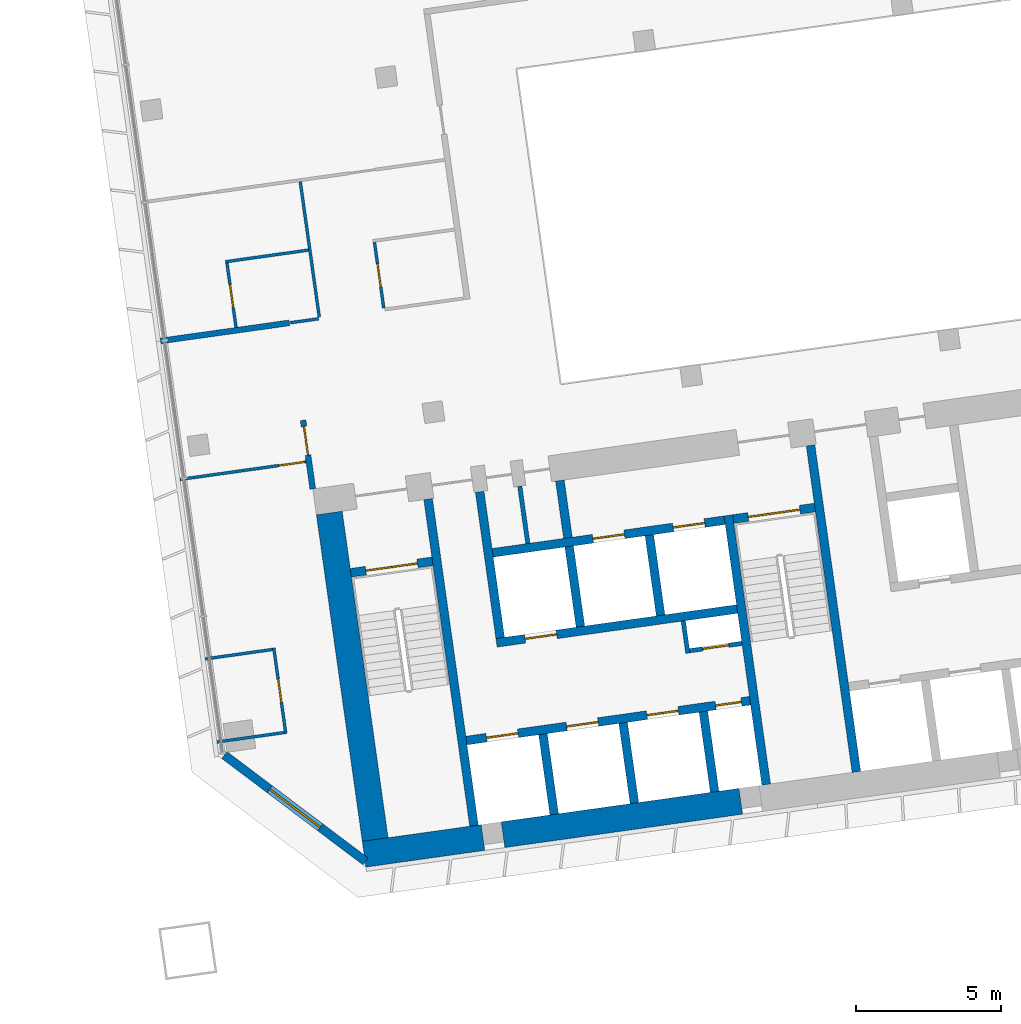
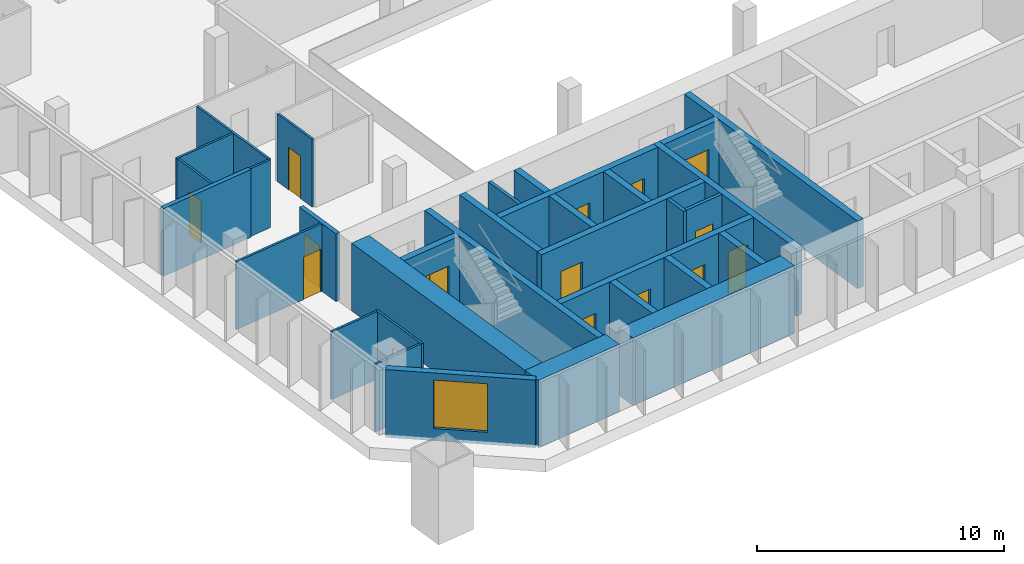
# One storey, part 19 of 25: 33 walls, 15 doors, 1 window, 16 openings.
"""IFC4 building model written with IfcOpenShell, lengths in metres."""

from ifc_helpers import new_model, si_unit, direction, frame, frame_2d, origin, place, context, subcontext, project, spatial, rectangle, extrude, material, layer, layer_set, type_object, element, fill, save


model = new_model("IFC4")

# Units and contexts
model_context = context("Model", 3, precision=1e-05, world=origin(), true_north=direction((0.0, 1.0)))
body_context = subcontext(model_context, "Body", "Model", "MODEL_VIEW")
ifc_project = project(units=[si_unit("LENGTHUNIT", "METRE"), si_unit("AREAUNIT", "SQUARE_METRE"), si_unit("VOLUMEUNIT", "CUBIC_METRE"), si_unit("PLANEANGLEUNIT", "RADIAN"), si_unit("MASSUNIT", "GRAM", prefix="KILO")], contexts=[model_context])

# Site, building, storey
site_placement = place(None, origin())
site = spatial("IfcSite", under=ifc_project, at=site_placement, CompositionType="ELEMENT")
building_placement = place(site_placement, origin())
building = spatial("IfcBuilding", under=site, at=building_placement, Name="Mirante Cascada Hotel Towers", CompositionType="ELEMENT")
storey_placement = place(building_placement, frame((0.0, 0.0, 54.7)))
storey = spatial("IfcBuildingStorey", under=building, at=storey_placement, Name="L10", CompositionType="ELEMENT", Elevation=54.7)

# Wall
ifc_material_1 = material(Name="Fire-rated plasterboard on metal studs")
ifc_layer_1 = layer(ifc_material_1, 0.2)
ifc_layer_set_1 = layer_set([ifc_layer_1], Name="Compartment wall 200 EI 120")
wall_type_1 = type_object("IfcWallType", Name="Compartment wall 200 EI 120", PredefinedType="PARTITIONING", material=ifc_layer_set_1)
wall_1_placement = place(storey_placement, frame((34.4562, -1.3737, 0.0), z_axis=(0.0, 0.0, 1.0), x_axis=(-0.9902674, -0.1391779, 0.0)))
element("IfcWall", 1, at=wall_1_placement, inside=storey, type_object=wall_type_1, Name="Wall 2-L10-04", PredefinedType="PARTITIONING", context=body_context, shape_type="SweptSolid", body=[
    extrude(rectangle(XDim=4.5, YDim=0.2, at=frame_2d((2.25, 0.0))), origin(), (0.0, 0.0, 1.0), 3.35),
])

# Wall, opening, door
wall_2_placement = place(storey_placement, frame((35.2634, -7.1173, 0.0), z_axis=(0.0, 0.0, 1.0), x_axis=(-0.1391635, 0.9902694, 0.0)))
wall_2 = element("IfcWall", 2, at=wall_2_placement, inside=storey, type_object=wall_type_1, Name="Wall 2-L10-33", PredefinedType="PARTITIONING", context=body_context, shape_type="SweptSolid", body=[
    extrude(rectangle(XDim=2.4001, YDim=0.2, at=frame_2d((1.2, 0.0))), origin(), (0.0, 0.0, 1.0), 3.35),
])
opening_1_placement = place(wall_2_placement, frame((1.1833, 0.0, 0.0)))
opening_1 = element("IfcOpeningElement", 3, at=opening_1_placement, cuts=wall_2, Name="Opening D2-L10-28", PredefinedType="OPENING", context=body_context, shape_type="SweptSolid", body=[
    extrude(rectangle(XDim=1.0, YDim=2.1, at=frame_2d((0.5, 1.05))), frame((0.0, 0.1, 0.0), z_axis=(0.0, -1.0, 0.0), x_axis=(1.0, 0.0, 0.0)), (0.0, 0.0, 1.0), 0.2),
])
ifc_material_2 = material(Name="Fire-rated timber door leaf", Category="wood")
door_type_1 = type_object("IfcDoorType", Name="Entrance door DG1 1000x2100 EI 60", OperationType="SINGLE_SWING_LEFT", PredefinedType="DOOR", material=ifc_material_2)
door_1_placement = place(opening_1_placement, origin())
door_1 = element("IfcDoor", 4, at=door_1_placement, inside=storey, type_object=door_type_1, Name="Door D2-L10-28", OperationType="SINGLE_SWING_LEFT", OverallHeight=2.1, OverallWidth=1.0, PredefinedType="DOOR", context=body_context, shape_type="SweptSolid", body=[
    extrude(rectangle(XDim=1.0, YDim=2.1, at=frame_2d((0.5, 1.05))), frame((0.0, 0.025, 0.0), z_axis=(0.0, -1.0, 0.0), x_axis=(1.0, 0.0, 0.0)), (0.0, 0.0, 1.0), 0.05),
])
fill(opening_1, door_1)

# Wall
ifc_material_3 = material(Name="Masonry block", Category="masonry")
ifc_layer_2 = layer(ifc_material_3, 0.15)
ifc_layer_set_2 = layer_set([ifc_layer_2], Name="Core room partition 150 block EI 30")
wall_type_2 = type_object("IfcWallType", Name="Core room partition 150 block EI 30", PredefinedType="PARTITIONING", material=ifc_layer_set_2)
wall_3_placement = place(storey_placement, frame((48.2295, -12.793, 0.0), z_axis=(0.0, 0.0, 1.0), x_axis=(-0.1391935, 0.9902652, 0.0)))
element("IfcWall", 5, at=wall_3_placement, inside=storey, type_object=wall_type_2, Name="Core wall partition T2 L10 2", PredefinedType="PARTITIONING", context=body_context, shape_type="SweptSolid", body=[
    extrude(rectangle(XDim=1.1251, YDim=0.15, at=frame_2d((0.5626, 0.0))), origin(), (0.0, 0.0, 1.0), 3.35),
])

# Wall, opening, door
wall_4_placement = place(storey_placement, frame((48.2933, -12.7083, 0.0), z_axis=(0.0, 0.0, 1.0), x_axis=(0.990268, 0.1391734, 0.0)))
wall_4 = element("IfcWall", 6, at=wall_4_placement, inside=storey, type_object=wall_type_2, Name="Core wall partition T2 L10 3", PredefinedType="PARTITIONING", context=body_context, shape_type="SweptSolid", body=[
    extrude(rectangle(XDim=1.8251, YDim=0.15, at=frame_2d((0.9126, 0.0))), origin(), (0.0, 0.0, 1.0), 3.35),
])
opening_2_placement = place(wall_4_placement, frame((0.4625, 0.0, 0.0)))
opening_2 = element("IfcOpeningElement", 7, at=opening_2_placement, cuts=wall_4, Name="Opening D2-10-C23", PredefinedType="OPENING", context=body_context, shape_type="SweptSolid", body=[
    extrude(rectangle(XDim=0.9, YDim=2.1, at=frame_2d((0.45, 1.05))), frame((0.0, 0.075, 0.0), z_axis=(0.0, -1.0, 0.0), x_axis=(1.0, 0.0, 0.0)), (0.0, 0.0, 1.0), 0.15),
])
ifc_material_4 = material(Name="Hollow metal fire door leaf")
door_type_2 = type_object("IfcDoorType", Name="Fire door 900x2100 FD60", OperationType="NOTDEFINED", PredefinedType="DOOR", material=ifc_material_4)
door_2_placement = place(opening_2_placement, frame((0.9, 0.0, 0.0), z_axis=(0.0, 0.0, 1.0), x_axis=(-1.0, 0.0, 0.0)))
door_2 = element("IfcDoor", 8, at=door_2_placement, inside=storey, type_object=door_type_2, Name="Riser door T2 L10 23", OperationType="SINGLE_SWING_RIGHT", OverallHeight=2.1, OverallWidth=0.9, PredefinedType="DOOR", context=body_context, shape_type="SweptSolid", body=[
    extrude(rectangle(XDim=0.9, YDim=2.1, at=frame_2d((0.45, 1.05))), frame((0.0, 0.025, 0.0), z_axis=(0.0, -1.0, 0.0), x_axis=(1.0, 0.0, 0.0)), (0.0, 0.0, 1.0), 0.05),
])
fill(opening_2, door_2)

# Walls
wall_5_placement = place(storey_placement, frame((42.6979, -9.0009, 0.0), z_axis=(0.0, 0.0, 1.0), x_axis=(-0.1391529, 0.9902709, 0.0)))
element("IfcWall", 9, at=wall_5_placement, inside=storey, type_object=wall_type_2, Name="Core wall partition T2 L10 4", PredefinedType="PARTITIONING", context=body_context, shape_type="SweptSolid", body=[
    extrude(rectangle(XDim=2.0, YDim=0.15, at=frame_2d((1.0, 0.0))), origin(), (0.0, 0.0, 1.0), 3.35),
])
ifc_material_5 = material(Name="Masonry block", Category="masonry")
ifc_layer_3 = layer(ifc_material_5, 0.3)
ifc_layer_set_3 = layer_set([ifc_layer_3], Name="Core wall 300 block EI 120")
wall_type_3 = type_object("IfcWallType", Name="Core wall 300 block EI 120", PredefinedType="PARTITIONING", material=ifc_layer_set_3)
wall_6_placement = place(storey_placement, frame((44.0843, -8.8061, 0.0), z_axis=(0.0, 0.0, 1.0), x_axis=(-0.1391951, 0.990265, 0.0)))
element("IfcWall", 10, at=wall_6_placement, inside=storey, type_object=wall_type_3, Name="Core wall partition T2 L10 1", PredefinedType="PARTITIONING", context=body_context, shape_type="SweptSolid", body=[
    extrude(rectangle(XDim=2.0001, YDim=0.3, at=frame_2d((1.0001, 0.0))), origin(), (0.0, 0.0, 1.0), 3.35),
])
ifc_material_6 = material(Name="Plasterboard on metal studs")
ifc_layer_4 = layer(ifc_material_6, 0.1)
ifc_layer_set_4 = layer_set([ifc_layer_4], Name="Partition 100")
wall_type_4 = type_object("IfcWallType", Name="Partition 100", PredefinedType="PARTITIONING", material=ifc_layer_set_4)
for number, where, z_axis, x_axis, name in (
    (11, (31.9484, -15.8638, 0.0), (0.0, 0.0, 1.0), (0.9902661, 0.139187, 0.0), "Wall 2-L10-01"),
    (12, (33.872, -12.6649, 0.0), (0.0, 0.0, 1.0), (-0.9902661, -0.139187, 0.0), "Wall 2-L10-02"),
):
    element("IfcWall", number, at=place(storey_placement, frame(where, z_axis=z_axis, x_axis=x_axis)), inside=storey, type_object=wall_type_4, Name=name, PredefinedType="PARTITIONING", context=body_context, shape_type="SweptSolid", body=[
        extrude(rectangle(XDim=2.3501, YDim=0.1, at=frame_2d((1.175, 0.0))), origin(), (0.0, 0.0, 1.0), 3.35),
    ])

# Wall, opening, door
wall_7_placement = place(storey_placement, frame((30.6727, -6.7863, 0.0), z_axis=(0.0, 0.0, 1.0), x_axis=(0.9902665, 0.1391841, 0.0)))
wall_7 = element("IfcWall", 13, at=wall_7_placement, inside=storey, type_object=wall_type_4, Name="Wall 2-L10-03", PredefinedType="PARTITIONING", context=body_context, shape_type="SweptSolid", body=[
    extrude(rectangle(XDim=4.3999, YDim=0.1, at=frame_2d((2.2, 0.0))), origin(), (0.0, 0.0, 1.0), 3.35),
])
opening_3_placement = place(wall_7_placement, frame((3.45, 0.0, 0.0)))
opening_3 = element("IfcOpeningElement", 14, at=opening_3_placement, cuts=wall_7, Name="Opening D2-L10-01", PredefinedType="OPENING", context=body_context, shape_type="SweptSolid", body=[
    extrude(rectangle(XDim=0.9, YDim=2.1, at=frame_2d((0.45, 1.05))), frame((0.0, 0.05, 0.0), z_axis=(0.0, -1.0, 0.0), x_axis=(1.0, 0.0, 0.0)), (0.0, 0.0, 1.0), 0.1),
])
ifc_material_7 = material(Name="Timber door leaf", Category="wood")
door_type_3 = type_object("IfcDoorType", Name="Room door DG3 900x2100", OperationType="SINGLE_SWING_LEFT", PredefinedType="DOOR", material=ifc_material_7)
door_3_placement = place(opening_3_placement, frame((0.9, 0.0, 0.0), z_axis=(0.0, 0.0, 1.0), x_axis=(-1.0, 0.0, 0.0)))
door_3 = element("IfcDoor", 15, at=door_3_placement, inside=storey, type_object=door_type_3, Name="Door D2-L10-01", OperationType="SINGLE_SWING_RIGHT", OverallHeight=2.1, OverallWidth=0.9, PredefinedType="DOOR", context=body_context, shape_type="SweptSolid", body=[
    extrude(rectangle(XDim=0.9, YDim=2.1, at=frame_2d((0.45, 1.05))), frame((0.0, 0.025, 0.0), z_axis=(0.0, -1.0, 0.0), x_axis=(1.0, 0.0, 0.0)), (0.0, 0.0, 1.0), 0.05),
])
fill(opening_3, door_3)

# Walls
wall_8_placement = place(storey_placement, frame((34.4859, -1.3695, 0.0), z_axis=(0.0, 0.0, 1.0), x_axis=(0.9902801, 0.1390877, 0.0)))
element("IfcWall", 16, at=wall_8_placement, inside=storey, type_object=wall_type_4, Name="Wall 2-L10-05", PredefinedType="PARTITIONING", context=body_context, shape_type="SweptSolid", body=[
    extrude(rectangle(XDim=0.99, YDim=0.1, at=frame_2d((0.495, 0.0))), origin(), (0.0, 0.0, 1.0), 3.35),
])
wall_9_placement = place(storey_placement, frame((35.1125, 1.1421, 0.0), z_axis=(0.0, 0.0, 1.0), x_axis=(-0.9902683, -0.1391714, 0.0)))
element("IfcWall", 17, at=wall_9_placement, inside=storey, type_object=wall_type_4, Name="Wall 2-L10-08", PredefinedType="PARTITIONING", context=body_context, shape_type="SweptSolid", body=[
    extrude(rectangle(XDim=2.9, YDim=0.1, at=frame_2d((1.45, 0.0))), origin(), (0.0, 0.0, 1.0), 3.35),
])

# Wall, opening, door
wall_10_placement = place(storey_placement, frame((34.332, -15.5793, 0.0), z_axis=(0.0, 0.0, 1.0), x_axis=(-0.1391624, 0.9902696, 0.0)))
wall_10 = element("IfcWall", 18, at=wall_10_placement, inside=storey, type_object=wall_type_4, Name="Wall 2-L10-31", PredefinedType="PARTITIONING", context=body_context, shape_type="SweptSolid", body=[
    extrude(rectangle(XDim=3.0001, YDim=0.1, at=frame_2d((1.5001, 0.0))), origin(), (0.0, 0.0, 1.0), 3.35),
])
opening_4_placement = place(wall_10_placement, frame((1.1, 0.0, 0.0)))
opening_4 = element("IfcOpeningElement", 19, at=opening_4_placement, cuts=wall_10, Name="Opening D2-L10-26", PredefinedType="OPENING", context=body_context, shape_type="SweptSolid", body=[
    extrude(rectangle(XDim=0.8, YDim=2.1, at=frame_2d((0.4, 1.05))), frame((0.0, 0.05, 0.0), z_axis=(0.0, -1.0, 0.0), x_axis=(1.0, 0.0, 0.0)), (0.0, 0.0, 1.0), 0.1),
])
ifc_material_8 = material(Name="Timber door leaf", Category="wood")
door_type_4 = type_object("IfcDoorType", Name="Bathroom door DG4 800x2100", OperationType="SINGLE_SWING_LEFT", PredefinedType="DOOR", material=ifc_material_8)
door_4_placement = place(opening_4_placement, frame((0.8, 0.0, 0.0), z_axis=(0.0, 0.0, 1.0), x_axis=(-1.0, 0.0, 0.0)))
door_4 = element("IfcDoor", 20, at=door_4_placement, inside=storey, type_object=door_type_4, Name="Door D2-L10-26", OperationType="SINGLE_SWING_RIGHT", OverallHeight=2.1, OverallWidth=0.8, PredefinedType="DOOR", context=body_context, shape_type="SweptSolid", body=[
    extrude(rectangle(XDim=0.8, YDim=2.1, at=frame_2d((0.4, 1.05))), frame((0.0, 0.025, 0.0), z_axis=(0.0, -1.0, 0.0), x_axis=(1.0, 0.0, 0.0)), (0.0, 0.0, 1.0), 0.05),
])
fill(opening_4, door_4)

wall_11_placement = place(storey_placement, frame((32.2972, 0.6959, 0.0), z_axis=(0.0, 0.0, 1.0), x_axis=(0.1391561, -0.9902705, 0.0)))
wall_11 = element("IfcWall", 21, at=wall_11_placement, inside=storey, type_object=wall_type_4, Name="Wall 2-L10-32", PredefinedType="PARTITIONING", context=body_context, shape_type="SweptSolid", body=[
    extrude(rectangle(XDim=2.25, YDim=0.1, at=frame_2d((1.125, 0.0))), origin(), (0.0, 0.0, 1.0), 3.35),
])
opening_5_placement = place(wall_11_placement, frame((0.75, 0.0, 0.0)))
opening_5 = element("IfcOpeningElement", 22, at=opening_5_placement, cuts=wall_11, Name="Opening D2-L10-27", PredefinedType="OPENING", context=body_context, shape_type="SweptSolid", body=[
    extrude(rectangle(XDim=0.8, YDim=2.1, at=frame_2d((0.4, 1.05))), frame((0.0, 0.05, 0.0), z_axis=(0.0, -1.0, 0.0), x_axis=(1.0, 0.0, 0.0)), (0.0, 0.0, 1.0), 0.1),
])
door_5_placement = place(opening_5_placement, origin())
door_5 = element("IfcDoor", 23, at=door_5_placement, inside=storey, type_object=door_type_4, Name="Door D2-L10-27", OperationType="SINGLE_SWING_LEFT", OverallHeight=2.1, OverallWidth=0.8, PredefinedType="DOOR", context=body_context, shape_type="SweptSolid", body=[
    extrude(rectangle(XDim=0.8, YDim=2.1, at=frame_2d((0.4, 1.05))), frame((0.0, 0.025, 0.0), z_axis=(0.0, -1.0, 0.0), x_axis=(1.0, 0.0, 0.0)), (0.0, 0.0, 1.0), 0.05),
])
fill(opening_5, door_5)

# Wall
wall_12_placement = place(storey_placement, frame((35.489, -1.1781, 0.0), z_axis=(0.0, 0.0, 1.0), x_axis=(-0.1391613, 0.9902697, 0.0)))
element("IfcWall", 24, at=wall_12_placement, inside=storey, type_object=wall_type_4, Name="Wall 2-L10-35", PredefinedType="PARTITIONING", context=body_context, shape_type="SweptSolid", body=[
    extrude(rectangle(XDim=4.7334, YDim=0.1, at=frame_2d((2.3667, 0.0))), origin(), (0.0, 0.0, 1.0), 3.35),
])

# Wall, opening, door
wall_13_placement = place(storey_placement, frame((37.397, 1.4127, 0.0), z_axis=(0.0, 0.0, 1.0), x_axis=(0.1391749, -0.9902678, 0.0)))
wall_13 = element("IfcWall", 25, at=wall_13_placement, inside=storey, type_object=wall_type_4, Name="Wall 2-L10-36", PredefinedType="PARTITIONING", context=body_context, shape_type="SweptSolid", body=[
    extrude(rectangle(XDim=2.3, YDim=0.1, at=frame_2d((1.15, 0.0))), origin(), (0.0, 0.0, 1.0), 3.35),
])
opening_6_placement = place(wall_13_placement, frame((0.75, 0.0, 0.0)))
opening_6 = element("IfcOpeningElement", 26, at=opening_6_placement, cuts=wall_13, Name="Opening D2-L10-30", PredefinedType="OPENING", context=body_context, shape_type="SweptSolid", body=[
    extrude(rectangle(XDim=0.8, YDim=2.1, at=frame_2d((0.4, 1.05))), frame((0.0, 0.05, 0.0), z_axis=(0.0, -1.0, 0.0), x_axis=(1.0, 0.0, 0.0)), (0.0, 0.0, 1.0), 0.1),
])
door_6_placement = place(opening_6_placement, origin())
door_6 = element("IfcDoor", 27, at=door_6_placement, inside=storey, type_object=door_type_4, Name="Door D2-L10-30", OperationType="SINGLE_SWING_LEFT", OverallHeight=2.1, OverallWidth=0.8, PredefinedType="DOOR", context=body_context, shape_type="SweptSolid", body=[
    extrude(rectangle(XDim=0.8, YDim=2.1, at=frame_2d((0.4, 1.05))), frame((0.0, 0.025, 0.0), z_axis=(0.0, -1.0, 0.0), x_axis=(1.0, 0.0, 0.0)), (0.0, 0.0, 1.0), 0.05),
])
fill(opening_6, door_6)

# Wall, opening, window
ifc_material_9 = material(Name="Precast concrete C40/50", Category="concrete")
ifc_layer_5 = layer(ifc_material_9, 0.3)
ifc_layer_set_5 = layer_set([ifc_layer_5], Name="Precast concrete C40/50 cladding wall 300")
wall_type_5 = type_object("IfcWallType", Name="Precast concrete C40/50 cladding wall 300", PredefinedType="STANDARD", material=ifc_layer_set_5)
wall_14_placement = place(storey_placement, frame((32.2074, -16.3138, 0.0), z_axis=(0.0, 0.0, 1.0), x_axis=(0.7986362, -0.6018141, 0.0)))
wall_14 = element("IfcWall", 28, at=wall_14_placement, inside=storey, type_object=wall_type_5, Name="Corner cladding wall T2 L10 inner rear", PredefinedType="STANDARD", context=body_context, shape_type="SweptSolid", body=[
    extrude(rectangle(XDim=6.1157, YDim=0.3, at=frame_2d((3.0578, 0.0))), origin(), (0.0, 0.0, 1.0), 3.35),
])
opening_7_placement = place(wall_14_placement, frame((1.9578, 0.0, 0.6)))
opening_7 = element("IfcOpeningElement", 29, at=opening_7_placement, cuts=wall_14, Name="Opening W2-10-05", PredefinedType="OPENING", context=body_context, shape_type="SweptSolid", body=[
    extrude(rectangle(XDim=2.2, YDim=2.4, at=frame_2d((1.1, 1.2))), frame((0.0, 0.15, 0.0), z_axis=(0.0, -1.0, 0.0), x_axis=(1.0, 0.0, 0.0)), (0.0, 0.0, 1.0), 0.3),
])
ifc_material_10 = material(Name="Aluminium frame with clear double glazing", Category="aluminium")
window_type = type_object("IfcWindowType", Name="Corner suite window 2200x2400", PartitioningType="DOUBLE_PANEL_VERTICAL", PredefinedType="WINDOW", material=ifc_material_10)
window_placement = place(opening_7_placement, origin())
window = element("IfcWindow", 30, at=window_placement, inside=storey, type_object=window_type, Name="Window W2-10-05", OverallHeight=2.4, OverallWidth=2.2, PartitioningType="SINGLE_PANEL", PredefinedType="WINDOW", context=body_context, shape_type="SweptSolid", body=[
    extrude(rectangle(XDim=2.2, YDim=2.4, at=frame_2d((1.1, 1.2))), frame((0.0, 0.03, 0.0), z_axis=(0.0, -1.0, 0.0), x_axis=(1.0, 0.0, 0.0)), (0.0, 0.0, 1.0), 0.06),
])
fill(opening_7, window)

# Walls
ifc_material_11 = material(Name="Concrete C50/60", Category="concrete")
ifc_layer_6 = layer(ifc_material_11, 0.3)
ifc_layer_set_6 = layer_set([ifc_layer_6], Name="RC core wall 300 C50/60")
wall_type_6 = type_object("IfcWallType", Name="RC core wall 300 C50/60", PredefinedType="SHEAR", material=ifc_layer_set_6)
wall_15_placement = place(storey_placement, frame((40.8373, -18.7548, 0.0), z_axis=(0.0, 0.0, 1.0), x_axis=(-0.1391749, 0.9902678, 0.0)))
element("IfcWall", 31, at=wall_15_placement, inside=storey, type_object=wall_type_6, Name="Core wall T2:L10:5", PredefinedType="SHEAR", context=body_context, shape_type="SweptSolid", body=[
    extrude(rectangle(XDim=11.4, YDim=0.3, at=frame_2d((5.7, 0.0))), origin(), (0.0, 0.0, 1.0), 3.35),
])
wall_16_placement = place(storey_placement, frame((50.938, -17.3352, 0.0), z_axis=(0.0, 0.0, 1.0), x_axis=(-0.1391706, 0.9902684, 0.0)))
element("IfcWall", 32, at=wall_16_placement, inside=storey, type_object=wall_type_6, Name="Core wall T2:L10:6", PredefinedType="SHEAR", context=body_context, shape_type="SweptSolid", body=[
    extrude(rectangle(XDim=9.4, YDim=0.3, at=frame_2d((4.7, 0.0))), origin(), (0.0, 0.0, 1.0), 3.35),
])
wall_17_placement = place(storey_placement, frame((54.0574, -16.8968, 0.0), z_axis=(0.0, 0.0, 1.0), x_axis=(-0.1391761, 0.9902677, 0.0)))
element("IfcWall", 33, at=wall_17_placement, inside=storey, type_object=wall_type_6, Name="Core wall T2:L10:7", PredefinedType="SHEAR", context=body_context, shape_type="SweptSolid", body=[
    extrude(rectangle(XDim=11.3999, YDim=0.3, at=frame_2d((5.7, 0.0))), origin(), (0.0, 0.0, 1.0), 3.35),
])

# Wall, opening, door
wall_18_placement = place(storey_placement, frame((36.5791, -10.0123, 0.0), z_axis=(0.0, 0.0, 1.0), x_axis=(0.9902704, 0.1391564, 0.0)))
wall_18 = element("IfcWall", 34, at=wall_18_placement, inside=storey, type_object=wall_type_6, Name="Core wall T2:L10:9", PredefinedType="SHEAR", context=body_context, shape_type="SweptSolid", body=[
    extrude(rectangle(XDim=2.85, YDim=0.3, at=frame_2d((1.425, 0.0))), origin(), (0.0, 0.0, 1.0), 3.35),
])
opening_8_placement = place(wall_18_placement, frame((0.525, 0.0, 0.0)))
opening_8 = element("IfcOpeningElement", 35, at=opening_8_placement, cuts=wall_18, Name="Opening D2-10-C13", PredefinedType="OPENING", context=body_context, shape_type="SweptSolid", body=[
    extrude(rectangle(XDim=1.8, YDim=2.1, at=frame_2d((0.9, 1.05))), frame((0.0, 0.15, 0.0), z_axis=(0.0, -1.0, 0.0), x_axis=(1.0, 0.0, 0.0)), (0.0, 0.0, 1.0), 0.3),
])
ifc_material_12 = material(Name="Hollow metal fire door leaf")
door_type_5 = type_object("IfcDoorType", Name="Double fire door 1800x2100 FD60", OperationType="DOUBLE_DOOR_SINGLE_SWING", PredefinedType="DOOR", material=ifc_material_12)
door_7_placement = place(opening_8_placement, frame((1.8, 0.0, 0.0), z_axis=(0.0, 0.0, 1.0), x_axis=(-1.0, 0.0, 0.0)))
door_7 = element("IfcDoor", 36, at=door_7_placement, inside=storey, type_object=door_type_5, Name="Stair door T2 L10 13", OperationType="DOUBLE_DOOR_SINGLE_SWING", OverallHeight=2.1, OverallWidth=1.8, PredefinedType="DOOR", context=body_context, shape_type="SweptSolid", body=[
    extrude(rectangle(XDim=0.895, YDim=2.1, at=frame_2d((0.4475, 1.05))), frame((0.0, 0.025, 0.0), z_axis=(0.0, -1.0, 0.0), x_axis=(1.0, 0.0, 0.0)), (0.0, 0.0, 1.0), 0.05),
    extrude(rectangle(XDim=0.895, YDim=2.1, at=frame_2d((1.3525, 1.05))), frame((0.0, 0.025, 0.0), z_axis=(0.0, -1.0, 0.0), x_axis=(1.0, 0.0, 0.0)), (0.0, 0.0, 1.0), 0.05),
])
fill(opening_8, door_7)

wall_19_placement = place(storey_placement, frame((49.7992, -8.1544, 0.0), z_axis=(0.0, 0.0, 1.0), x_axis=(0.9902656, 0.1391909, 0.0)))
wall_19 = element("IfcWall", 37, at=wall_19_placement, inside=storey, type_object=wall_type_6, Name="Core wall T2:L10:10", PredefinedType="SHEAR", context=body_context, shape_type="SweptSolid", body=[
    extrude(rectangle(XDim=2.85, YDim=0.3, at=frame_2d((1.425, 0.0))), origin(), (0.0, 0.0, 1.0), 3.35),
])
opening_9_placement = place(wall_19_placement, frame((0.525, 0.0, 0.0)))
opening_9 = element("IfcOpeningElement", 38, at=opening_9_placement, cuts=wall_19, Name="Opening D2-10-C15", PredefinedType="OPENING", context=body_context, shape_type="SweptSolid", body=[
    extrude(rectangle(XDim=1.8, YDim=2.1, at=frame_2d((0.9, 1.05))), frame((0.0, 0.15, 0.0), z_axis=(0.0, -1.0, 0.0), x_axis=(1.0, 0.0, 0.0)), (0.0, 0.0, 1.0), 0.3),
])
door_8_placement = place(opening_9_placement, frame((1.8, 0.0, 0.0), z_axis=(0.0, 0.0, 1.0), x_axis=(-1.0, 0.0, 0.0)))
door_8 = element("IfcDoor", 39, at=door_8_placement, inside=storey, type_object=door_type_5, Name="Stair door T2 L10 15", OperationType="DOUBLE_DOOR_SINGLE_SWING", OverallHeight=2.1, OverallWidth=1.8, PredefinedType="DOOR", context=body_context, shape_type="SweptSolid", body=[
    extrude(rectangle(XDim=0.895, YDim=2.1, at=frame_2d((0.4475, 1.05))), frame((0.0, 0.025, 0.0), z_axis=(0.0, -1.0, 0.0), x_axis=(1.0, 0.0, 0.0)), (0.0, 0.0, 1.0), 0.05),
    extrude(rectangle(XDim=0.895, YDim=2.1, at=frame_2d((1.3525, 1.05))), frame((0.0, 0.025, 0.0), z_axis=(0.0, -1.0, 0.0), x_axis=(1.0, 0.0, 0.0)), (0.0, 0.0, 1.0), 0.05),
])
fill(opening_9, door_8)

# Wall, openings, doors
wall_20_placement = place(storey_placement, frame((40.5753, -15.8126, 0.0), z_axis=(0.0, 0.0, 1.0), x_axis=(0.9902682, 0.1391725, 0.0)))
wall_20 = element("IfcWall", 40, at=wall_20_placement, inside=storey, type_object=wall_type_6, Name="Core wall T2:L10:12", PredefinedType="SHEAR", context=body_context, shape_type="SweptSolid", body=[
    extrude(rectangle(XDim=9.8999, YDim=0.3, at=frame_2d((4.95, 0.0))), origin(), (0.0, 0.0, 1.0), 3.35),
])
opening_10_placement = place(wall_20_placement, frame((0.7, 0.0, 0.0)))
opening_10 = element("IfcOpeningElement", 41, at=opening_10_placement, cuts=wall_20, Name="Opening LD", PredefinedType="OPENING", context=body_context, shape_type="SweptSolid", body=[
    extrude(rectangle(XDim=1.1, YDim=2.1, at=frame_2d((0.55, 1.05))), frame((0.0, 0.15, 0.0), z_axis=(0.0, -1.0, 0.0), x_axis=(1.0, 0.0, 0.0)), (0.0, 0.0, 1.0), 0.3),
])
opening_11_placement = place(wall_20_placement, frame((3.5, 0.0, 0.0)))
opening_11 = element("IfcOpeningElement", 42, at=opening_11_placement, cuts=wall_20, Name="Opening LD", PredefinedType="OPENING", context=body_context, shape_type="SweptSolid", body=[
    extrude(rectangle(XDim=1.1, YDim=2.1, at=frame_2d((0.55, 1.05))), frame((0.0, 0.15, 0.0), z_axis=(0.0, -1.0, 0.0), x_axis=(1.0, 0.0, 0.0)), (0.0, 0.0, 1.0), 0.3),
])
opening_12_placement = place(wall_20_placement, frame((6.3, 0.0, 0.0)))
opening_12 = element("IfcOpeningElement", 43, at=opening_12_placement, cuts=wall_20, Name="Opening LD", PredefinedType="OPENING", context=body_context, shape_type="SweptSolid", body=[
    extrude(rectangle(XDim=1.1, YDim=2.1, at=frame_2d((0.55, 1.05))), frame((0.0, 0.15, 0.0), z_axis=(0.0, -1.0, 0.0), x_axis=(1.0, 0.0, 0.0)), (0.0, 0.0, 1.0), 0.3),
])
opening_13_placement = place(wall_20_placement, frame((8.7, 0.0, 0.0)))
opening_13 = element("IfcOpeningElement", 44, at=opening_13_placement, cuts=wall_20, Name="Opening D2-10-C22", PredefinedType="OPENING", context=body_context, shape_type="SweptSolid", body=[
    extrude(rectangle(XDim=0.9, YDim=2.1, at=frame_2d((0.45, 1.05))), frame((0.0, 0.15, 0.0), z_axis=(0.0, -1.0, 0.0), x_axis=(1.0, 0.0, 0.0)), (0.0, 0.0, 1.0), 0.3),
])
door_9_placement = place(opening_13_placement, frame((0.9, 0.0, 0.0), z_axis=(0.0, 0.0, 1.0), x_axis=(-1.0, 0.0, 0.0)))
door_9 = element("IfcDoor", 45, at=door_9_placement, inside=storey, type_object=door_type_2, Name="Riser door T2 L10 22", OperationType="SINGLE_SWING_RIGHT", OverallHeight=2.1, OverallWidth=0.9, PredefinedType="DOOR", context=body_context, shape_type="SweptSolid", body=[
    extrude(rectangle(XDim=0.9, YDim=2.1, at=frame_2d((0.45, 1.05))), frame((0.0, 0.025, 0.0), z_axis=(0.0, -1.0, 0.0), x_axis=(1.0, 0.0, 0.0)), (0.0, 0.0, 1.0), 0.05),
])
fill(opening_13, door_9)
ifc_material_13 = material(Name="Stainless steel", Category="steel")
door_type_6 = type_object("IfcDoorType", Name="Lift landing door 1100x2100 EI 120", OperationType="DOUBLE_DOOR_SLIDING", PredefinedType="DOOR", material=ifc_material_13)
door_10_placement = place(opening_10_placement, origin())
door_10 = element("IfcDoor", 46, at=door_10_placement, inside=storey, type_object=door_type_6, Name="Lift landing door HR2-1 L10", OperationType="DOUBLE_DOOR_SLIDING", OverallHeight=2.1, OverallWidth=1.1, PredefinedType="DOOR", context=body_context, shape_type="SweptSolid", body=[
    extrude(rectangle(XDim=0.545, YDim=2.1, at=frame_2d((0.2725, 1.05))), frame((0.0, 0.025, 0.0), z_axis=(0.0, -1.0, 0.0), x_axis=(1.0, 0.0, 0.0)), (0.0, 0.0, 1.0), 0.05),
    extrude(rectangle(XDim=0.545, YDim=2.1, at=frame_2d((0.8275, 1.05))), frame((0.0, 0.025, 0.0), z_axis=(0.0, -1.0, 0.0), x_axis=(1.0, 0.0, 0.0)), (0.0, 0.0, 1.0), 0.05),
])
fill(opening_10, door_10)
door_11_placement = place(opening_11_placement, origin())
door_11 = element("IfcDoor", 47, at=door_11_placement, inside=storey, type_object=door_type_6, Name="Lift landing door HR2-2 L10", OperationType="DOUBLE_DOOR_SLIDING", OverallHeight=2.1, OverallWidth=1.1, PredefinedType="DOOR", context=body_context, shape_type="SweptSolid", body=[
    extrude(rectangle(XDim=0.545, YDim=2.1, at=frame_2d((0.2725, 1.05))), frame((0.0, 0.025, 0.0), z_axis=(0.0, -1.0, 0.0), x_axis=(1.0, 0.0, 0.0)), (0.0, 0.0, 1.0), 0.05),
    extrude(rectangle(XDim=0.545, YDim=2.1, at=frame_2d((0.8275, 1.05))), frame((0.0, 0.025, 0.0), z_axis=(0.0, -1.0, 0.0), x_axis=(1.0, 0.0, 0.0)), (0.0, 0.0, 1.0), 0.05),
])
fill(opening_11, door_11)
door_12_placement = place(opening_12_placement, origin())
door_12 = element("IfcDoor", 48, at=door_12_placement, inside=storey, type_object=door_type_6, Name="Lift landing door HR2-3 L10", OperationType="DOUBLE_DOOR_SLIDING", OverallHeight=2.1, OverallWidth=1.1, PredefinedType="DOOR", context=body_context, shape_type="SweptSolid", body=[
    extrude(rectangle(XDim=0.545, YDim=2.1, at=frame_2d((0.2725, 1.05))), frame((0.0, 0.025, 0.0), z_axis=(0.0, -1.0, 0.0), x_axis=(1.0, 0.0, 0.0)), (0.0, 0.0, 1.0), 0.05),
    extrude(rectangle(XDim=0.545, YDim=2.1, at=frame_2d((0.8275, 1.05))), frame((0.0, 0.025, 0.0), z_axis=(0.0, -1.0, 0.0), x_axis=(1.0, 0.0, 0.0)), (0.0, 0.0, 1.0), 0.05),
])
fill(opening_12, door_12)

# Wall, opening, door
wall_21_placement = place(storey_placement, frame((41.6153, -12.435, 0.0), z_axis=(0.0, 0.0, 1.0), x_axis=(0.9902691, 0.139166, 0.0)))
wall_21 = element("IfcWall", 49, at=wall_21_placement, inside=storey, type_object=wall_type_6, Name="Core wall T2:L10:13", PredefinedType="SHEAR", context=body_context, shape_type="SweptSolid", body=[
    extrude(rectangle(XDim=8.4, YDim=0.3, at=frame_2d((4.2, 0.0))), origin(), (0.0, 0.0, 1.0), 3.35),
])
opening_14_placement = place(wall_21_placement, frame((1.0, 0.0, 0.0)))
opening_14 = element("IfcOpeningElement", 50, at=opening_14_placement, cuts=wall_21, Name="Opening LD", PredefinedType="OPENING", context=body_context, shape_type="SweptSolid", body=[
    extrude(rectangle(XDim=1.1, YDim=2.1, at=frame_2d((0.55, 1.05))), frame((0.0, 0.15, 0.0), z_axis=(0.0, -1.0, 0.0), x_axis=(1.0, 0.0, 0.0)), (0.0, 0.0, 1.0), 0.3),
])
door_13_placement = place(opening_14_placement, origin())
door_13 = element("IfcDoor", 51, at=door_13_placement, inside=storey, type_object=door_type_6, Name="Lift landing door HR2-4 L10", OperationType="DOUBLE_DOOR_SLIDING", OverallHeight=2.1, OverallWidth=1.1, PredefinedType="DOOR", context=body_context, shape_type="SweptSolid", body=[
    extrude(rectangle(XDim=0.545, YDim=2.1, at=frame_2d((0.2725, 1.05))), frame((0.0, 0.025, 0.0), z_axis=(0.0, -1.0, 0.0), x_axis=(1.0, 0.0, 0.0)), (0.0, 0.0, 1.0), 0.05),
    extrude(rectangle(XDim=0.545, YDim=2.1, at=frame_2d((0.8275, 1.05))), frame((0.0, 0.025, 0.0), z_axis=(0.0, -1.0, 0.0), x_axis=(1.0, 0.0, 0.0)), (0.0, 0.0, 1.0), 0.05),
])
fill(opening_14, door_13)

# Wall, openings, doors
wall_22_placement = place(storey_placement, frame((41.481, -9.3234, 0.0), z_axis=(0.0, 0.0, 1.0), x_axis=(0.9902679, 0.1391741, 0.0)))
wall_22 = element("IfcWall", 52, at=wall_22_placement, inside=storey, type_object=wall_type_6, Name="Core wall T2:L10:14", PredefinedType="SHEAR", context=body_context, shape_type="SweptSolid", body=[
    extrude(rectangle(XDim=8.0999, YDim=0.3, at=frame_2d((4.05, 0.0))), origin(), (0.0, 0.0, 1.0), 3.35),
])
opening_15_placement = place(wall_22_placement, frame((3.5, 0.0, 0.0)))
opening_15 = element("IfcOpeningElement", 53, at=opening_15_placement, cuts=wall_22, Name="Opening LD", PredefinedType="OPENING", context=body_context, shape_type="SweptSolid", body=[
    extrude(rectangle(XDim=1.1, YDim=2.1, at=frame_2d((0.55, 1.05))), frame((0.0, 0.15, 0.0), z_axis=(0.0, -1.0, 0.0), x_axis=(1.0, 0.0, 0.0)), (0.0, 0.0, 1.0), 0.3),
])
opening_16_placement = place(wall_22_placement, frame((6.3, 0.0, 0.0)))
opening_16 = element("IfcOpeningElement", 54, at=opening_16_placement, cuts=wall_22, Name="Opening LD", PredefinedType="OPENING", context=body_context, shape_type="SweptSolid", body=[
    extrude(rectangle(XDim=1.1, YDim=2.1, at=frame_2d((0.55, 1.05))), frame((0.0, 0.15, 0.0), z_axis=(0.0, -1.0, 0.0), x_axis=(1.0, 0.0, 0.0)), (0.0, 0.0, 1.0), 0.3),
])
door_14_placement = place(opening_15_placement, origin())
door_14 = element("IfcDoor", 55, at=door_14_placement, inside=storey, type_object=door_type_6, Name="Lift landing door FF3 L10", OperationType="DOUBLE_DOOR_SLIDING", OverallHeight=2.1, OverallWidth=1.1, PredefinedType="DOOR", context=body_context, shape_type="SweptSolid", body=[
    extrude(rectangle(XDim=0.545, YDim=2.1, at=frame_2d((0.2725, 1.05))), frame((0.0, 0.025, 0.0), z_axis=(0.0, -1.0, 0.0), x_axis=(1.0, 0.0, 0.0)), (0.0, 0.0, 1.0), 0.05),
    extrude(rectangle(XDim=0.545, YDim=2.1, at=frame_2d((0.8275, 1.05))), frame((0.0, 0.025, 0.0), z_axis=(0.0, -1.0, 0.0), x_axis=(1.0, 0.0, 0.0)), (0.0, 0.0, 1.0), 0.05),
])
fill(opening_15, door_14)
door_15_placement = place(opening_16_placement, origin())
door_15 = element("IfcDoor", 56, at=door_15_placement, inside=storey, type_object=door_type_6, Name="Lift landing door FF4 L10", OperationType="DOUBLE_DOOR_SLIDING", OverallHeight=2.1, OverallWidth=1.1, PredefinedType="DOOR", context=body_context, shape_type="SweptSolid", body=[
    extrude(rectangle(XDim=0.545, YDim=2.1, at=frame_2d((0.2725, 1.05))), frame((0.0, 0.025, 0.0), z_axis=(0.0, -1.0, 0.0), x_axis=(1.0, 0.0, 0.0)), (0.0, 0.0, 1.0), 0.05),
    extrude(rectangle(XDim=0.545, YDim=2.1, at=frame_2d((0.8275, 1.05))), frame((0.0, 0.025, 0.0), z_axis=(0.0, -1.0, 0.0), x_axis=(1.0, 0.0, 0.0)), (0.0, 0.0, 1.0), 0.05),
])
fill(opening_16, door_15)

# Walls
wall_23_placement = place(storey_placement, frame((43.61, -18.3651, 0.0), z_axis=(0.0, 0.0, 1.0), x_axis=(-0.1391459, 0.9902719, 0.0)))
element("IfcWall", 57, at=wall_23_placement, inside=storey, type_object=wall_type_6, Name="Core wall T2:L10:15", PredefinedType="SHEAR", context=body_context, shape_type="SweptSolid", body=[
    extrude(rectangle(XDim=2.7999, YDim=0.3, at=frame_2d((1.4, 0.0))), origin(), (0.0, 0.0, 1.0), 3.35),
])
wall_24_placement = place(storey_placement, frame((46.3828, -17.9754, 0.0), z_axis=(0.0, 0.0, 1.0), x_axis=(-0.139181, 0.990267, 0.0)))
element("IfcWall", 58, at=wall_24_placement, inside=storey, type_object=wall_type_6, Name="Core wall T2:L10:16", PredefinedType="SHEAR", context=body_context, shape_type="SweptSolid", body=[
    extrude(rectangle(XDim=2.8, YDim=0.3, at=frame_2d((1.4, 0.0))), origin(), (0.0, 0.0, 1.0), 3.35),
])
wall_25_placement = place(storey_placement, frame((49.1555, -17.5857, 0.0), z_axis=(0.0, 0.0, 1.0), x_axis=(-0.1391459, 0.9902719, 0.0)))
element("IfcWall", 59, at=wall_25_placement, inside=storey, type_object=wall_type_6, Name="Core wall T2:L10:17", PredefinedType="SHEAR", context=body_context, shape_type="SweptSolid", body=[
    extrude(rectangle(XDim=2.7999, YDim=0.3, at=frame_2d((1.4, 0.0))), origin(), (0.0, 0.0, 1.0), 3.35),
])
for number, where, z_axis, x_axis, name in (
    (60, (44.5157, -11.8759, 0.0), (0.0, 0.0, 1.0), (-0.139181, 0.990267, 0.0), "Core wall T2:L10:18"),
    (61, (47.2885, -11.4862, 0.0), (0.0, 0.0, 1.0), (-0.139181, 0.990267, 0.0), "Core wall T2:L10:19"),
):
    element("IfcWall", number, at=place(storey_placement, frame(where, z_axis=z_axis, x_axis=x_axis)), inside=storey, type_object=wall_type_6, Name=name, PredefinedType="SHEAR", context=body_context, shape_type="SweptSolid", body=[
        extrude(rectangle(XDim=2.8, YDim=0.3, at=frame_2d((1.4, 0.0))), origin(), (0.0, 0.0, 1.0), 3.35),
    ])
wall_26_placement = place(storey_placement, frame((41.743, -12.2656, 0.0), z_axis=(0.0, 0.0, 1.0), x_axis=(-0.1391755, 0.9902677, 0.0)))
element("IfcWall", 62, at=wall_26_placement, inside=storey, type_object=wall_type_6, Name="Core wall T2:L10:20", PredefinedType="SHEAR", context=body_context, shape_type="SweptSolid", body=[
    extrude(rectangle(XDim=5.1, YDim=0.3, at=frame_2d((2.55, 0.0))), origin(), (0.0, 0.0, 1.0), 3.35),
])
ifc_material_14 = material(Name="Concrete C50/60", Category="concrete")
ifc_layer_7 = layer(ifc_material_14, 0.9)
ifc_layer_set_7 = layer_set([ifc_layer_7], Name="RC core wall 900 C50/60")
wall_type_7 = type_object("IfcWallType", Name="RC core wall 900 C50/60", PredefinedType="SHEAR", material=ifc_layer_set_7)
wall_27_placement = place(storey_placement, frame((37.0379, -19.7432, 0.0), z_axis=(0.0, 0.0, 1.0), x_axis=(0.990267, 0.139181, 0.0)))
element("IfcWall", 63, at=wall_27_placement, inside=storey, type_object=wall_type_7, Name="Core wall T2:L10:1.1", PredefinedType="SHEAR", context=body_context, shape_type="SweptSolid", body=[
    extrude(rectangle(XDim=4.15, YDim=0.9, at=frame_2d((2.075, 0.0))), origin(), (0.0, 0.0, 1.0), 3.35),
])
wall_28_placement = place(storey_placement, frame((41.8407, -19.0682, 0.0), z_axis=(0.0, 0.0, 1.0), x_axis=(0.9902686, 0.1391692, 0.0)))
element("IfcWall", 64, at=wall_28_placement, inside=storey, type_object=wall_type_7, Name="Core wall T2:L10:1.2", PredefinedType="SHEAR", context=body_context, shape_type="SweptSolid", body=[
    extrude(rectangle(XDim=8.3, YDim=0.9, at=frame_2d((4.15, 0.0))), origin(), (0.0, 0.0, 1.0), 3.35),
])
wall_29_placement = place(storey_placement, frame((37.4209, -19.2349, 0.0), z_axis=(0.0, 0.0, 1.0), x_axis=(-0.1391761, 0.9902677, 0.0)))
element("IfcWall", 65, at=wall_29_placement, inside=storey, type_object=wall_type_7, Name="Core wall T2:L10:3", PredefinedType="SHEAR", context=body_context, shape_type="SweptSolid", body=[
    extrude(rectangle(XDim=11.3999, YDim=0.9, at=frame_2d((5.7, 0.0))), origin(), (0.0, 0.0, 1.0), 3.35),
])

save(model, "model.ifc")
